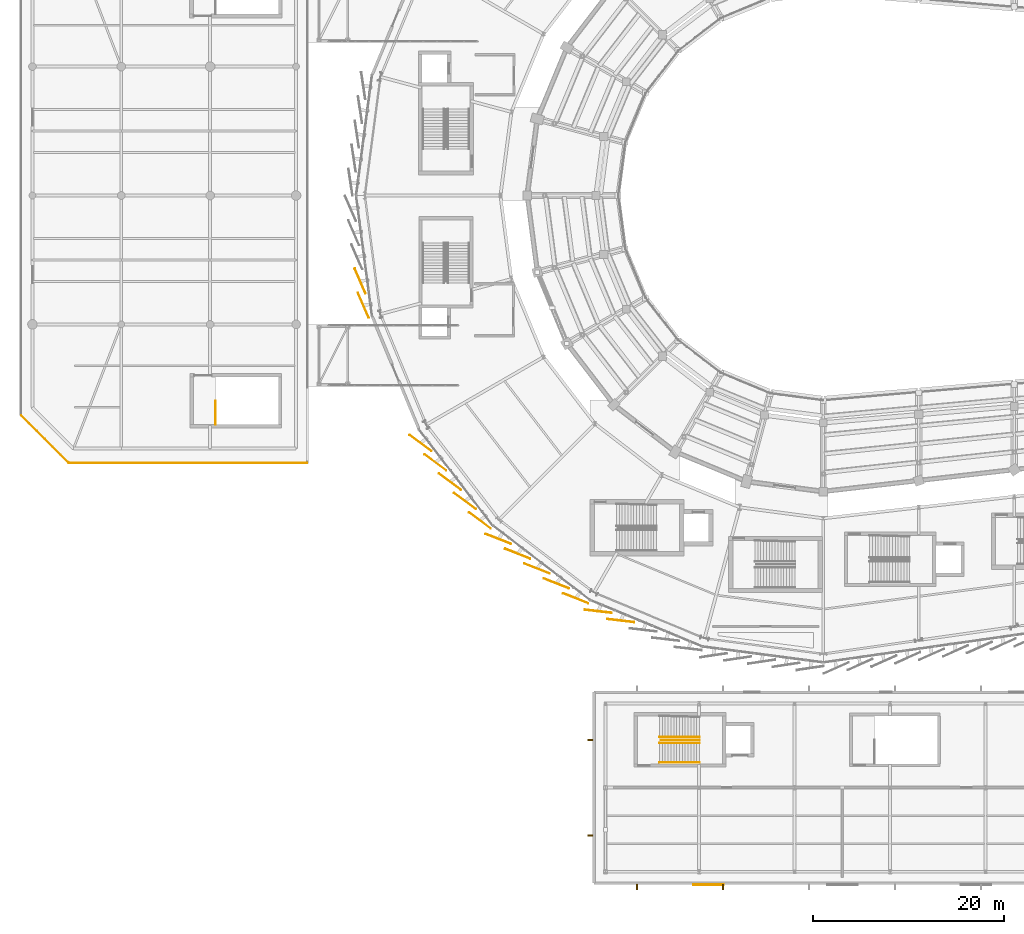
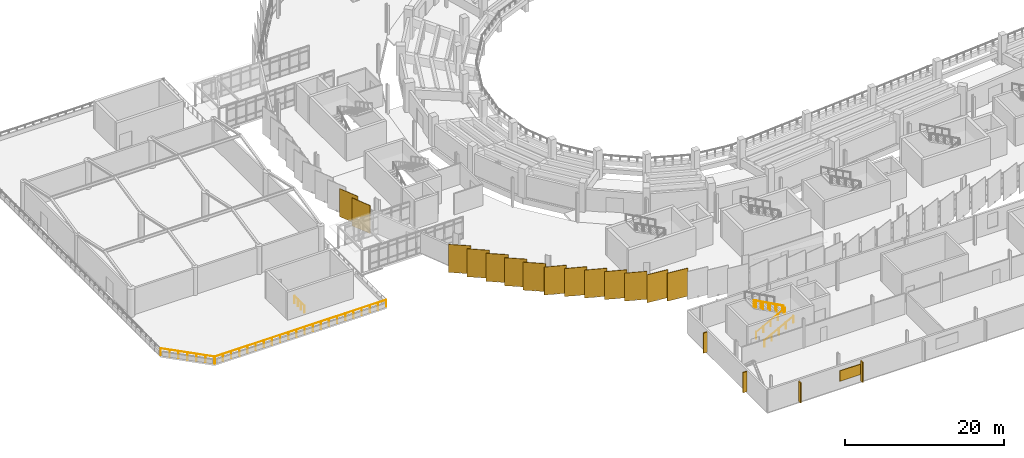
# One storey, part 111 of 120: 14 coverings, 7 railings, 5 shading devices.
"""IFC4 building model written with IfcOpenShell, lengths in metres."""

from ifc_helpers import new_model, si_unit, direction, frame, origin, origin_2d, place, context, subcontext, project, spatial, rectangle, circle, extrude, material, layer, layer_set, type_object, element, save


model = new_model("IFC4")

# Units and contexts
model_context = context("Model", 3, precision=1e-05, world=origin(), true_north=direction((0.0, 1.0)))
body_context = subcontext(model_context, "Body", "Model", "MODEL_VIEW")
ifc_project = project(units=[si_unit("LENGTHUNIT", "METRE"), si_unit("AREAUNIT", "SQUARE_METRE"), si_unit("VOLUMEUNIT", "CUBIC_METRE"), si_unit("PLANEANGLEUNIT", "RADIAN"), si_unit("MASSUNIT", "GRAM", prefix="KILO")], contexts=[model_context])

# Site, building, storey
site_placement = place(None, origin())
site = spatial("IfcSite", under=ifc_project, at=site_placement, CompositionType="ELEMENT")
building_placement = place(site_placement, origin())
building = spatial("IfcBuilding", under=site, at=building_placement, Name="Sohan Crest Arena", CompositionType="ELEMENT")
storey_placement = place(building_placement, frame((0.0, 0.0, 13.5)))
storey = spatial("IfcBuildingStorey", under=building, at=storey_placement, Name="L03", CompositionType="ELEMENT", Elevation=13.5)

# Railings
ifc_material_1 = material(Name="Powder-coated wrought steel balustrade", Category="steel")
railing_type_1 = type_object("IfcRailingType", Name="ARC-GRD-01", PredefinedType="GUARDRAIL", material=ifc_material_1)
railing_1_placement = place(storey_placement, frame((34.3701171875, 54.02001953125, 0.0)))
element("IfcRailing", 1, at=railing_1_placement, inside=storey, type_object=railing_type_1, Name="Top stair landing well guard GRD-074", PredefinedType="GUARDRAIL", context=body_context, shape_type="SweptSolid", body=[
    extrude(circle(Radius=0.02392578125, at=origin_2d()), frame((0.0, 0.0, 1.076171875), z_axis=(0.0, 1.0, 0.0), x_axis=(-1.0, 0.0, 0.0)), (0.0, 0.0, 1.0), 2.4599609375),
    extrude(circle(Radius=0.02099609375, at=origin_2d()), origin(), (0.0, 0.0, 1.0), 1.052001953125),
    extrude(circle(Radius=0.02099609375, at=origin_2d()), frame((0.0, 0.820068359375, 0.0)), (0.0, 0.0, 1.0), 1.052001953125),
    extrude(circle(Radius=0.02099609375, at=origin_2d()), frame((0.0, 1.639892578125, 0.0)), (0.0, 0.0, 1.0), 1.052001953125),
    extrude(circle(Radius=0.02099609375, at=origin_2d()), frame((0.0, 2.4599609375, 0.0)), (0.0, 0.0, 1.0), 1.052001953125),
])
railing_2_placement = place(storey_placement, frame((85.030029296875, 21.0, 2.25)))
element("IfcRailing", 2, at=railing_2_placement, inside=storey, type_object=railing_type_1, Name="Stair well slot guard GRD-091", PredefinedType="GUARDRAIL", context=body_context, shape_type="SweptSolid", body=[
    extrude(circle(Radius=0.02392578125, at=origin_2d()), frame((0.0, 0.0, 1.076171875), z_axis=(-0.87313487534, 0.0, 0.487478706678), x_axis=(0.0, -1.0, 0.0)), (0.0, 0.0, 1.0), 4.615478515625),
    extrude(circle(Radius=0.02099609375, at=origin_2d()), origin(), (0.0, 0.0, 1.0), 1.052001953125),
    extrude(circle(Radius=0.02099609375, at=origin_2d()), frame((-1.007568359375, 0.0, 0.5625)), (0.0, 0.0, 1.0), 1.052001953125),
    extrude(circle(Radius=0.02099609375, at=origin_2d()), frame((-2.01513671875, 0.0, 1.125)), (0.0, 0.0, 1.0), 1.052001953125),
    extrude(circle(Radius=0.02099609375, at=origin_2d()), frame((-3.0224609375, 0.0, 1.6875)), (0.0, 0.0, 1.0), 1.052001953125),
    extrude(circle(Radius=0.02099609375, at=origin_2d()), frame((-4.030029296875, 0.0, 2.25)), (0.0, 0.0, 1.0), 1.052001953125),
])
railing_3_placement = place(storey_placement, frame((19.0400390625, 50.0, 0.0)))
element("IfcRailing", 3, at=railing_3_placement, inside=storey, type_object=railing_type_1, Name="Foyer roof garden balustrade GRD-294", PredefinedType="GUARDRAIL", context=body_context, shape_type="SweptSolid", body=[
    extrude(circle(Radius=0.02392578125, at=origin_2d()), frame((0.0, 0.0, 1.076171875), z_axis=(1.0, 0.0, 0.0), x_axis=(0.0, 1.0, 0.0)), (0.0, 0.0, 1.0), 24.919921875),
    extrude(circle(Radius=0.02099609375, at=origin_2d()), origin(), (0.0, 0.0, 1.0), 1.052001953125),
    extrude(circle(Radius=0.02099609375, at=origin_2d()), frame((1.186767578125, 0.0, 0.0)), (0.0, 0.0, 1.0), 1.052001953125),
    extrude(circle(Radius=0.02099609375, at=origin_2d()), frame((2.373291015625, 0.0, 0.0)), (0.0, 0.0, 1.0), 1.052001953125),
    extrude(circle(Radius=0.02099609375, at=origin_2d()), frame((3.56005859375, 0.0, 0.0)), (0.0, 0.0, 1.0), 1.052001953125),
    extrude(circle(Radius=0.02099609375, at=origin_2d()), frame((4.74658203125, 0.0, 0.0)), (0.0, 0.0, 1.0), 1.052001953125),
    extrude(circle(Radius=0.02099609375, at=origin_2d()), frame((5.933349609375, 0.0, 0.0)), (0.0, 0.0, 1.0), 1.052001953125),
    extrude(circle(Radius=0.02099609375, at=origin_2d()), frame((7.119873046875, 0.0, 0.0)), (0.0, 0.0, 1.0), 1.052001953125),
    extrude(circle(Radius=0.02099609375, at=origin_2d()), frame((8.306640625, 0.0, 0.0)), (0.0, 0.0, 1.0), 1.052001953125),
    extrude(circle(Radius=0.02099609375, at=origin_2d()), frame((9.493408203125, 0.0, 0.0)), (0.0, 0.0, 1.0), 1.052001953125),
    extrude(circle(Radius=0.02099609375, at=origin_2d()), frame((10.679931640625, 0.0, 0.0)), (0.0, 0.0, 1.0), 1.052001953125),
    extrude(circle(Radius=0.02099609375, at=origin_2d()), frame((11.86669921875, 0.0, 0.0)), (0.0, 0.0, 1.0), 1.052001953125),
    extrude(circle(Radius=0.02099609375, at=origin_2d()), frame((13.05322265625, 0.0, 0.0)), (0.0, 0.0, 1.0), 1.052001953125),
    extrude(circle(Radius=0.02099609375, at=origin_2d()), frame((14.239990234375, 0.0, 0.0)), (0.0, 0.0, 1.0), 1.052001953125),
    extrude(circle(Radius=0.02099609375, at=origin_2d()), frame((15.426513671875, 0.0, 0.0)), (0.0, 0.0, 1.0), 1.052001953125),
    extrude(circle(Radius=0.02099609375, at=origin_2d()), frame((16.61328125, 0.0, 0.0)), (0.0, 0.0, 1.0), 1.052001953125),
    extrude(circle(Radius=0.02099609375, at=origin_2d()), frame((17.800048828125, 0.0, 0.0)), (0.0, 0.0, 1.0), 1.052001953125),
    extrude(circle(Radius=0.02099609375, at=origin_2d()), frame((18.986572265625, 0.0, 0.0)), (0.0, 0.0, 1.0), 1.052001953125),
    extrude(circle(Radius=0.02099609375, at=origin_2d()), frame((20.17333984375, 0.0, 0.0)), (0.0, 0.0, 1.0), 1.052001953125),
    extrude(circle(Radius=0.02099609375, at=origin_2d()), frame((21.35986328125, 0.0, 0.0)), (0.0, 0.0, 1.0), 1.052001953125),
    extrude(circle(Radius=0.02099609375, at=origin_2d()), frame((22.546630859375, 0.0, 0.0)), (0.0, 0.0, 1.0), 1.052001953125),
    extrude(circle(Radius=0.02099609375, at=origin_2d()), frame((23.733154296875, 0.0, 0.0)), (0.0, 0.0, 1.0), 1.052001953125),
    extrude(circle(Radius=0.02099609375, at=origin_2d()), frame((24.919921875, 0.0, 0.0)), (0.0, 0.0, 1.0), 1.052001953125),
])
railing_4_placement = place(storey_placement, frame((14.028076171875, 54.971923828125, 0.0)))
element("IfcRailing", 4, at=railing_4_placement, inside=storey, type_object=railing_type_1, Name="Foyer roof garden balustrade GRD-299", PredefinedType="GUARDRAIL", context=body_context, shape_type="SweptSolid", body=[
    extrude(circle(Radius=0.02392578125, at=origin_2d()), frame((0.0, 0.0, 1.076171875), z_axis=(0.707106781187, -0.707106781187, 0.0), x_axis=(0.707106781187, 0.707106781187, 0.0)), (0.0, 0.0, 1.0), 6.99169921875),
    extrude(circle(Radius=0.02099609375, at=origin_2d()), origin(), (0.0, 0.0, 1.0), 1.052001953125),
    extrude(circle(Radius=0.02099609375, at=origin_2d()), frame((0.823974609375, -0.823974609375, 0.0)), (0.0, 0.0, 1.0), 1.052001953125),
    extrude(circle(Radius=0.02099609375, at=origin_2d()), frame((1.64794921875, -1.64794921875, 0.0)), (0.0, 0.0, 1.0), 1.052001953125),
    extrude(circle(Radius=0.02099609375, at=origin_2d()), frame((2.471923828125, -2.471923828125, 0.0)), (0.0, 0.0, 1.0), 1.052001953125),
    extrude(circle(Radius=0.02099609375, at=origin_2d()), frame((3.2958984375, -3.2958984375, 0.0)), (0.0, 0.0, 1.0), 1.052001953125),
    extrude(circle(Radius=0.02099609375, at=origin_2d()), frame((4.119873046875, -4.119873046875, 0.0)), (0.0, 0.0, 1.0), 1.052001953125),
    extrude(circle(Radius=0.02099609375, at=origin_2d()), frame((4.94384765625, -4.94384765625, 0.0)), (0.0, 0.0, 1.0), 1.052001953125),
])
ifc_material_2 = material(Name="Brushed stainless steel stair handrail", Category="steel")
railing_type_2 = type_object("IfcRailingType", Name="ARC-HR-01", PredefinedType="HANDRAIL", material=ifc_material_2)
for number, where, name in (
    (5, (80.85009765625, 18.610107421875, 0.0), "Stair pitch handrail HR-297"),
    (6, (80.85009765625, 20.68994140625, 0.0), "Stair pitch handrail HR-298"),
):
    element("IfcRailing", number, at=place(storey_placement, frame(where)), inside=storey, type_object=railing_type_2, Name=name, PredefinedType="HANDRAIL", context=body_context, shape_type="SweptSolid", body=[
        extrude(circle(Radius=0.02392578125, at=origin_2d()), frame((0.0, 0.0, 0.97607421875), z_axis=(0.881477684796, 0.0, 0.472225678258), x_axis=(0.0, 1.0, 0.0)), (0.0, 0.0, 1.0), 4.7646484375),
        extrude(circle(Radius=0.02099609375, at=origin_2d()), origin(), (0.0, 0.0, 1.0), 0.951904296875),
        extrude(circle(Radius=0.02099609375, at=origin_2d()), frame((1.050048828125, 0.0, 0.5625)), (0.0, 0.0, 1.0), 0.951904296875),
        extrude(circle(Radius=0.02099609375, at=origin_2d()), frame((2.10009765625, 0.0, 1.125)), (0.0, 0.0, 1.0), 0.951904296875),
        extrude(circle(Radius=0.02099609375, at=origin_2d()), frame((3.14990234375, 0.0, 1.6875)), (0.0, 0.0, 1.0), 0.951904296875),
        extrude(circle(Radius=0.02099609375, at=origin_2d()), frame((4.199951171875, 0.0, 2.25)), (0.0, 0.0, 1.0), 0.951904296875),
    ])
railing_5_placement = place(storey_placement, frame((85.050048828125, 21.31005859375, 2.25)))
element("IfcRailing", 7, at=railing_5_placement, inside=storey, type_object=railing_type_2, Name="Stair pitch handrail HR-299", PredefinedType="HANDRAIL", context=body_context, shape_type="SweptSolid", body=[
    extrude(circle(Radius=0.02392578125, at=origin_2d()), frame((0.0, 0.0, 0.97607421875), z_axis=(-0.881477684796, 0.0, 0.472225678258), x_axis=(0.0, -1.0, 0.0)), (0.0, 0.0, 1.0), 4.7646484375),
    extrude(circle(Radius=0.02099609375, at=origin_2d()), origin(), (0.0, 0.0, 1.0), 0.951904296875),
    extrude(circle(Radius=0.02099609375, at=origin_2d()), frame((-1.050048828125, 0.0, 0.5625)), (0.0, 0.0, 1.0), 0.951904296875),
    extrude(circle(Radius=0.02099609375, at=origin_2d()), frame((-2.10009765625, 0.0, 1.125)), (0.0, 0.0, 1.0), 0.951904296875),
    extrude(circle(Radius=0.02099609375, at=origin_2d()), frame((-3.14990234375, 0.0, 1.6875)), (0.0, 0.0, 1.0), 0.951904296875),
    extrude(circle(Radius=0.02099609375, at=origin_2d()), frame((-4.199951171875, 0.0, 2.25)), (0.0, 0.0, 1.0), 0.951904296875),
])

# Shading devices
ifc_material_3 = material(Name="Glazed terracotta ceramic solar fin", Category="masonry")
ifc_layer_1 = layer(ifc_material_3, 0.070068359375, Name="Glazed terracotta ceramic solar fin")
ifc_layer_set_1 = layer_set([ifc_layer_1], Name="Glazed terracotta ceramic solar fin")
shading_device_type_1 = type_object("IfcShadingDeviceType", Name="ARC-SHD-FIN1", PredefinedType="USERDEFINED", material=ifc_layer_set_1)
for number, where, z_axis, x_axis, name in (
    (8, (78.5, 5.60009765625, 0.199951171875), (0.0, 0.0, 1.0), (1.0, 0.0, 0.0), "Catalan terracotta facade fin FIN-099"),
    (9, (87.5, 5.60009765625, 0.199951171875), (0.0, 0.0, 1.0), (1.0, 0.0, 0.0), "Catalan terracotta facade fin FIN-100"),
    (10, (73.60009765625, 21.0, 0.199951171875), (0.0, 0.0, 1.0), (0.0, -1.0, 0.0), "Catalan terracotta facade fin FIN-125"),
    (11, (73.60009765625, 11.0, 0.199951171875), (0.0, 0.0, 1.0), (0.0, -1.0, 0.0), "Catalan terracotta facade fin FIN-126"),
):
    element("IfcShadingDevice", number, at=place(storey_placement, frame(where, z_axis=z_axis, x_axis=x_axis)), inside=storey, type_object=shading_device_type_1, Name=name, ObjectType="FIN", PredefinedType="USERDEFINED", context=body_context, shape_type="SweptSolid", body=[
        extrude(rectangle(XDim=0.139892578125, YDim=0.550048828125, at=origin_2d()), origin(), (0.0, 0.0, 1.0), 3.10009765625),
    ])
ifc_material_4 = material(Name="Thermally broken anodised aluminium", Category="aluminium")
ifc_layer_2 = layer(ifc_material_4, 0.10009765625, Name="Thermally broken anodised aluminium")
ifc_layer_set_2 = layer_set([ifc_layer_2], Name="Thermally broken anodised aluminium")
shading_device_type_2 = type_object("IfcShadingDeviceType", Name="ARC-SHD-LV1", PredefinedType="JALOUSIE", material=ifc_layer_set_2)
shading_device_placement = place(storey_placement, frame((86.0, 5.81494140625, 1.199951171875), z_axis=(0.0, 0.0, 1.0), x_axis=(1.0, 0.0, 0.0)))
element("IfcShadingDevice", 12, at=shading_device_placement, inside=storey, type_object=shading_device_type_2, Name="Acoustic plant weather louvre LV-109", PredefinedType="JALOUSIE", context=body_context, shape_type="SweptSolid", body=[
    extrude(rectangle(XDim=3.199951171875, YDim=0.10009765625, at=origin_2d()), origin(), (0.0, 0.0, 1.0), 1.60009765625),
])

# Coverings
ifc_material_5 = material(Name="Glazed ivory trencadis ceramic cladding", Category="masonry")
ifc_layer_3 = layer(ifc_material_5, 0.06494140625, Name="Glazed ivory trencadis ceramic cladding")
ifc_layer_set_3 = layer_set([ifc_layer_3], Name="Glazed ivory trencadis ceramic cladding")
covering_type_1 = type_object("IfcCoveringType", Name="COV-SC-IV", PredefinedType="CLADDING", material=ifc_layer_set_3)
for number, where, z_axis, x_axis, name in (
    (13, (49.512939453125, 69.0419921875, -0.2001953125), (0.0, 0.0, 1.0), (0.398749068925, -0.917060074385, 0.0), "Rotated trencadis ceramic scale panel SC-0289"),
    (14, (55.824951171875, 52.074951171875, -0.2001953125), (0.0, 0.0, 1.0), (0.803856860617, -0.594822786751, 0.0), "Rotated trencadis ceramic scale panel SC-0291"),
    (15, (57.37890625, 50.049072265625, -0.2001953125), (0.0, 0.0, 1.0), (0.803856860617, -0.594822786751, 0.0), "Rotated trencadis ceramic scale panel SC-0292"),
    (16, (60.488037109375, 45.998046875, -0.2001953125), (0.0, 0.0, 1.0), (0.803856860617, -0.594822786751, 0.0), "Rotated trencadis ceramic scale panel SC-0294"),
    (17, (62.0419921875, 43.971923828125, -0.2001953125), (0.0, 0.0, 1.0), (0.803856860617, -0.594822786751, 0.0), "Rotated trencadis ceramic scale panel SC-0295"),
    (18, (63.971923828125, 42.0419921875, -0.2001953125), (0.0, 0.0, 1.0), (0.930417567982, -0.366501226724, 0.0), "Rotated trencadis ceramic scale panel SC-0296"),
    (19, (68.02294921875, 38.93408203125, -0.2001953125), (0.0, 0.0, 1.0), (0.930417567982, -0.366501226724, 0.0), "Rotated trencadis ceramic scale panel SC-0298"),
    (20, (70.049072265625, 37.37890625, -0.2001953125), (0.0, 0.0, 1.0), (0.930417567982, -0.366501226724, 0.0), "Rotated trencadis ceramic scale panel SC-0299"),
    (21, (72.074951171875, 35.824951171875, -0.2001953125), (0.0, 0.0, 1.0), (0.930417567982, -0.366501226724, 0.0), "Rotated trencadis ceramic scale panel SC-0300"),
    (22, (76.797119140625, 33.48291015625, -0.2001953125), (0.0, 0.0, 1.0), (0.993571855677, -0.113203213768, 0.0), "Rotated trencadis ceramic scale panel SC-0302"),
):
    element("IfcCovering", number, at=place(storey_placement, frame(where, z_axis=z_axis, x_axis=x_axis)), inside=storey, type_object=covering_type_1, Name=name, PredefinedType="CLADDING", context=body_context, shape_type="SweptSolid", body=[
        extrude(rectangle(XDim=2.85009765625, YDim=0.06494140625, at=origin_2d()), origin(), (0.0, 0.0, 1.0), 4.300048828125),
    ])
ifc_material_6 = material(Name="Glazed terracotta trencadis ceramic cladding", Category="masonry")
ifc_layer_4 = layer(ifc_material_6, 0.074951171875, Name="Glazed terracotta trencadis ceramic cladding")
ifc_layer_set_4 = layer_set([ifc_layer_4], Name="Glazed terracotta trencadis ceramic cladding")
covering_type_2 = type_object("IfcCoveringType", Name="COV-SC-TC", PredefinedType="CLADDING", material=ifc_layer_set_4)
for number, where, z_axis, x_axis, name in (
    (23, (49.845947265625, 66.510009765625, -0.2001953125), (0.0, 0.0, 1.0), (0.398749068925, -0.917060074385, 0.0), "Rotated trencadis ceramic scale panel SC-0290"),
    (24, (58.93408203125, 48.02294921875, -0.2001953125), (0.0, 0.0, 1.0), (0.803856860617, -0.594822786751, 0.0), "Rotated trencadis ceramic scale panel SC-0293"),
    (25, (65.998046875, 40.488037109375, -0.2001953125), (0.0, 0.0, 1.0), (0.930417567982, -0.366501226724, 0.0), "Rotated trencadis ceramic scale panel SC-0297"),
    (26, (74.43896484375, 34.4599609375, -0.2001953125), (0.0, 0.0, 1.0), (0.993571855677, -0.113203213768, 0.0), "Rotated trencadis ceramic scale panel SC-0301"),
):
    element("IfcCovering", number, at=place(storey_placement, frame(where, z_axis=z_axis, x_axis=x_axis)), inside=storey, type_object=covering_type_2, Name=name, PredefinedType="CLADDING", context=body_context, shape_type="SweptSolid", body=[
        extrude(rectangle(XDim=2.85009765625, YDim=0.074951171875, at=origin_2d()), origin(), (0.0, 0.0, 1.0), 4.300048828125),
    ])

save(model, "model.ifc")
